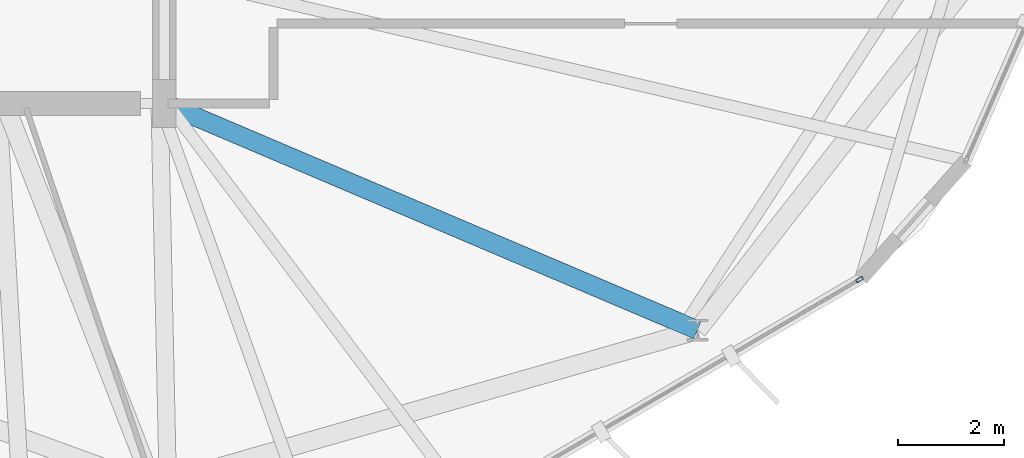
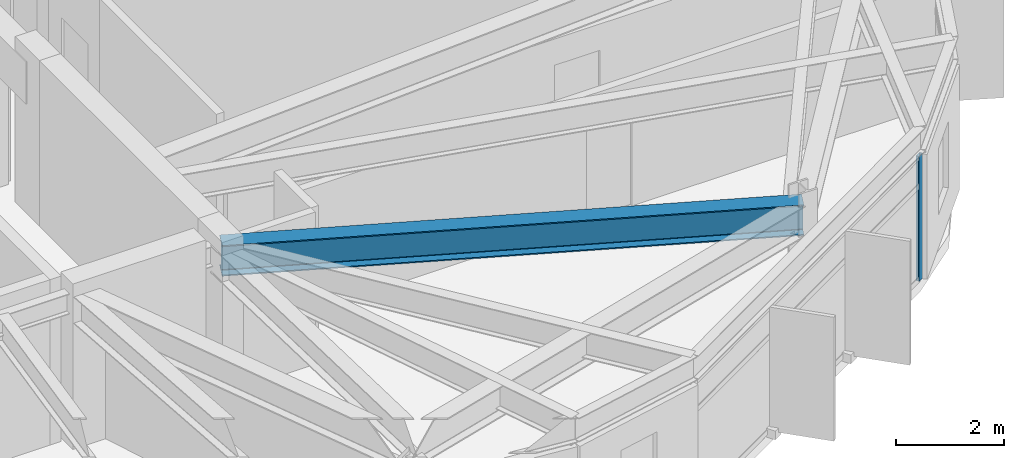
# One storey, part 7 of 25: 1 beam, 1 member, 1 element without a shape of its own.
"""IFC4 building model written with IfcOpenShell, lengths in metres."""

import ifcopenshell
import ifcopenshell.guid

model = None  # the IFC model being written
_history = None  # IfcOwnerHistory: only IFC2X3 demands one
_inside = {}  # id of a spatial element -> (the spatial element, [elements in it])
_under = {}  # id of a project, library or spatial element -> (it, [spatial elements below it])
_declared = {}  # id of a project -> (the project, [libraries it declares])
_typed = {}  # id of a type object -> (the type object, [elements of that type])
_made_of = {}  # id of a material, layer set ... -> (it, [elements and type objects made of it])


def new_model(schema):
    """Start an empty IFC model of exactly this schema.

    Asked for "IFC4X3", IfcOpenShell would pick the latest addendum, in which some entities
    have other attributes; the version numbers below select the first issue.
    IFC2X3 requires an IfcOwnerHistory on every rooted entity: one is made here for all.
    """
    global model, _history
    if schema == "IFC4X3":
        model = ifcopenshell.file(schema_version=(4, 3, 0, 0))
    else:
        model = ifcopenshell.file(schema=schema)
    _inside.clear()
    _under.clear()
    _declared.clear()
    _typed.clear()
    _made_of.clear()
    _history = None
    if model.schema == "IFC2X3":
        org = make("IfcOrganization", Name="unknown")
        user = make(
            "IfcPersonAndOrganization",
            ThePerson=make("IfcPerson", FamilyName="unknown"),
            TheOrganization=org,
        )
        app = make(
            "IfcApplication",
            ApplicationDeveloper=org,
            Version="unknown",
            ApplicationFullName="unknown",
            ApplicationIdentifier="unknown",
        )
        _history = make(
            "IfcOwnerHistory",
            OwningUser=user,
            OwningApplication=app,
            ChangeAction="ADDED",
            CreationDate=0,
        )
    return model


def make(cls, **values):
    """One entity of the class cls with the attributes given. An attribute that is None is left unset."""
    return model.create_entity(
        cls, **{name: value for name, value in values.items() if value is not None}
    )


def rooted(cls, **values):
    """An entity with a GlobalId (a new one), such as an element, a storey or a relation."""
    return make(cls, GlobalId=ifcopenshell.guid.new(), OwnerHistory=_history, **values)


def si_unit(unit_type, name, prefix=None):
    """IfcSIUnit, for example si_unit("LENGTHUNIT", "METRE", prefix="MILLI")."""
    return make("IfcSIUnit", UnitType=unit_type, Prefix=prefix, Name=name)


def assignment(units):
    """IfcUnitAssignment: the units of a project."""
    return None if units is None else make("IfcUnitAssignment", Units=units)


def point(xyz):
    """IfcCartesianPoint."""
    return None if xyz is None else make("IfcCartesianPoint", Coordinates=xyz)


def direction(xyz):
    """IfcDirection."""
    return None if xyz is None else make("IfcDirection", DirectionRatios=xyz)


def frame(location, z_axis=None, x_axis=None):
    """IfcAxis2Placement3D, a coordinate frame: its origin and axes. An axis left out is left unset."""
    return make(
        "IfcAxis2Placement3D",
        Location=point(location),
        Axis=direction(z_axis),
        RefDirection=direction(x_axis),
    )


def frame_2d(location, x_axis=None):
    """IfcAxis2Placement2D, a coordinate frame in the plane: its origin and x axis."""
    return make(
        "IfcAxis2Placement2D", Location=point(location), RefDirection=direction(x_axis)
    )


def origin():
    """The frame at (0, 0, 0) with its axes left unset."""
    return frame((0.0, 0.0, 0.0))


def origin_2d():
    """The frame at (0, 0) in the plane with its x axis left unset."""
    return frame_2d((0.0, 0.0))


def place(relative_to, where):
    """IfcLocalPlacement: puts the frame where relative to a parent placement (None: the world)."""
    return make(
        "IfcLocalPlacement", PlacementRelTo=relative_to, RelativePlacement=where
    )


def context(
    kind, dimensions, precision=None, world=None, true_north=None, identifier=None
):
    """IfcGeometricRepresentationContext, for example the 3D "Model" context."""
    return make(
        "IfcGeometricRepresentationContext",
        ContextIdentifier=identifier,
        ContextType=kind,
        CoordinateSpaceDimension=dimensions,
        Precision=precision,
        WorldCoordinateSystem=world,
        TrueNorth=true_north,
    )


def subcontext(parent, identifier, kind, view, scale=None):
    """IfcGeometricRepresentationSubContext, for example "Body" below "Model"."""
    return make(
        "IfcGeometricRepresentationSubContext",
        ContextIdentifier=identifier,
        ContextType=kind,
        ParentContext=parent,
        TargetScale=scale,
        TargetView=view,
    )


def project(units=None, contexts=None):
    """IfcProject with its units and contexts."""
    return rooted(
        "IfcProject",
        Name="project",
        RepresentationContexts=contexts,
        UnitsInContext=assignment(units),
    )


def spatial(cls, under=None, at=None, **own):
    """A site, building, storey or space (cls), placed at a placement, below another one or the project."""
    s = rooted(cls, ObjectPlacement=at, **own)
    if under is not None:
        _under.setdefault(under.id(), (under, []))[1].append(s)
    return s


def profile(cls, at=None, kind="AREA", **sizes):
    """A parametric profile (cls). Its sizes go by their IFC names, for example OverallWidth=200.0."""
    return make(cls, ProfileType=kind, Position=at, **sizes)


def hollow_rectangle(**sizes):
    """IfcRectangleHollowProfileDef."""
    return profile("IfcRectangleHollowProfileDef", **sizes)


def i_section(**sizes):
    """IfcIShapeProfileDef."""
    return profile("IfcIShapeProfileDef", **sizes)


def extrude(swept, where, along, depth):
    """IfcExtrudedAreaSolid: the profile swept, set in the frame where, extruded along a direction by depth."""
    return make(
        "IfcExtrudedAreaSolid",
        SweptArea=swept,
        Position=where,
        ExtrudedDirection=direction(along),
        Depth=depth,
    )


def shape(context_of_items, identifier, shape_type, items):
    """IfcShapeRepresentation: the items that make up one representation, for example the "Body"."""
    return make(
        "IfcShapeRepresentation",
        ContextOfItems=context_of_items,
        RepresentationIdentifier=identifier,
        RepresentationType=shape_type,
        Items=items,
    )


def material(Name=None, Category=None):
    """IfcMaterial."""
    return make("IfcMaterial", Name=Name, Category=Category)


def layer(
    of_material, thickness, ventilated=None, Name=None, Category=None, Priority=None
):
    """IfcMaterialLayer: one layer of a wall or slab, of a material (None: an air gap)."""
    return make(
        "IfcMaterialLayer",
        Material=of_material,
        LayerThickness=thickness,
        IsVentilated=ventilated,
        Name=Name,
        Category=Category,
        Priority=Priority,
    )


def layer_set(layers, Name=None):
    """IfcMaterialLayerSet."""
    return make("IfcMaterialLayerSet", MaterialLayers=layers, LayerSetName=Name)


def material_profile(
    of_material, cross_section, Name=None, Category=None, Priority=None
):
    """IfcMaterialProfile: a cross section and its material."""
    return make(
        "IfcMaterialProfile",
        Name=Name,
        Material=of_material,
        Profile=cross_section,
        Priority=Priority,
        Category=Category,
    )


def profile_set(profiles, Name=None, composite=None):
    """IfcMaterialProfileSet."""
    return make(
        "IfcMaterialProfileSet",
        Name=Name,
        MaterialProfiles=profiles,
        CompositeProfile=composite,
    )


def made_of(thing, what):
    """Note that an element or type object is made of a material, layer set ...; save() writes the relation."""
    if what is not None:
        _made_of.setdefault(what.id(), (what, []))[1].append(thing)
    return thing


def type_object(cls, material=None, **own):
    """A type object (cls), such as IfcWallType, which elements share."""
    return made_of(rooted(cls, **own), material)


def element(
    cls,
    number,
    at=None,
    inside=None,
    cuts=None,
    type_object=None,
    material=None,
    context=None,
    identifier="Body",
    shape_type=None,
    held_by="IfcProductDefinitionShape",
    body=None,
    shapes=None,
    **own,
):
    """One element of the class cls, such as IfcWall. Its Tag is "e" and its number.

    at: its placement. inside: the storey or other place that contains it. cuts: it is an
    opening in that element (IfcRelVoidsElement). A single representation is given by context,
    identifier, shape_type and body (its items); several are given by shapes. held_by: the class
    of the entity that holds the representations. save() writes the other relations.
    """
    e = rooted(cls, Tag="e%d" % number, ObjectPlacement=at, **own)
    if body is not None:
        shapes = [shape(context, identifier, shape_type, body)]
    if shapes is not None:
        e.Representation = make(held_by, Representations=shapes)
    if inside is not None:
        _inside.setdefault(inside.id(), (inside, []))[1].append(e)
    if cuts is not None:
        rooted(
            "IfcRelVoidsElement", RelatingBuildingElement=cuts, RelatedOpeningElement=e
        )
    if type_object is not None:
        _typed.setdefault(type_object.id(), (type_object, []))[1].append(e)
    return made_of(e, material)


def aggregate(whole, parts):
    """IfcRelAggregates: a whole, such as a stair, and the parts it consists of."""
    return rooted("IfcRelAggregates", RelatingObject=whole, RelatedObjects=parts)


def save(model, path):
    """Write the relations noted so far, then the file.

    IfcRelAggregates (storeys below a building ...), IfcRelContainedInSpatialStructure (elements
    in a storey), IfcRelDefinesByType, IfcRelAssociatesMaterial and IfcRelDeclares: one each for
    every whole, place, type object, material and project.
    """
    for whole, parts in _under.values():
        aggregate(whole, parts)
    for where, things in _inside.values():
        rooted(
            "IfcRelContainedInSpatialStructure",
            RelatedElements=things,
            RelatingStructure=where,
        )
    for kind, things in _typed.values():
        rooted("IfcRelDefinesByType", RelatedObjects=things, RelatingType=kind)
    for what, things in _made_of.values():
        rooted("IfcRelAssociatesMaterial", RelatedObjects=things, RelatingMaterial=what)
    for by, libraries in _declared.values():
        rooted("IfcRelDeclares", RelatingContext=by, RelatedDefinitions=libraries)
    model.write(path)


model = new_model("IFC4")

# Units and contexts
model_context = context("Model", 3, precision=1e-05, world=origin(), true_north=direction((0.0, 1.0)))
body_context = subcontext(model_context, "Body", "Model", "MODEL_VIEW")
ifc_project = project(units=[si_unit("LENGTHUNIT", "METRE"), si_unit("AREAUNIT", "SQUARE_METRE"), si_unit("VOLUMEUNIT", "CUBIC_METRE"), si_unit("PLANEANGLEUNIT", "RADIAN"), si_unit("MASSUNIT", "GRAM", prefix="KILO")], contexts=[model_context])

# Site, building, storey
site_placement = place(None, origin())
site = spatial("IfcSite", under=ifc_project, at=site_placement, CompositionType="ELEMENT")
building_placement = place(site_placement, origin())
building = spatial("IfcBuilding", under=site, at=building_placement, Name="Soratama Intermodal Tower", CompositionType="ELEMENT")
storey_placement = place(building_placement, frame((0.0, 0.0, 276.25)))
storey = spatial("IfcBuildingStorey", under=building, at=storey_placement, Name="L70", CompositionType="ELEMENT", Elevation=276.25)

# Beam
ifc_material_1 = material(Name="Structural steel ASTM A992 Grade 50", Category="steel")
ifc_material_profile_1 = material_profile(ifc_material_1, i_section(OverallWidth=0.35498046875, OverallDepth=0.695068359375, WebThickness=0.015380859375, FlangeThickness=0.02490234375, FilletRadius=0.01611328125, at=origin_2d()), Name="W27X146")
ifc_profile_set_1 = profile_set([ifc_material_profile_1], Name="Structural steel ASTM A992 Grade 50")
beam_type = type_object("IfcBeamType", Name="BM-RING-W27X146", PredefinedType="BEAM", material=ifc_profile_set_1)
beam_placement = place(storey_placement, frame((44.60009765625, 15.0, 3.1025390625), z_axis=(0.920282671955, -0.391254142087, 0.0), x_axis=(0.391254142087, 0.920282671955, 0.0)))
element("IfcBeam", 1, at=beam_placement, inside=storey, type_object=beam_type, Name="BM-L70-RAD-09", PredefinedType="BEAM", context=body_context, shape_type="SweptSolid", body=[
    extrude(i_section(OverallWidth=0.35498046875, OverallDepth=0.695068359375, WebThickness=0.015380859375, FlangeThickness=0.02490234375, FilletRadius=0.01611328125, at=origin_2d()), origin(), (0.0, 0.0, 1.0), 10.885498046875),
])

# Curtain wall, member
ifc_material_2 = material(Name="Double-glazed aluminium curtain wall", Category="aluminium")
ifc_layer = layer(ifc_material_2, 0.159912109375)
ifc_layer_set = layer_set([ifc_layer], Name="Double-glazed aluminium curtain wall")
curtain_wall_type = type_object("IfcCurtainWallType", Name="CW-SYS-5", PredefinedType="NOTDEFINED", material=ifc_layer_set)
curtain_wall_placement = place(storey_placement, origin())
curtain_wall = element("IfcCurtainWall", 2, at=curtain_wall_placement, inside=storey, type_object=curtain_wall_type, Name="L70 Faceted Curtain Wall F07", PredefinedType="NOTDEFINED")
ifc_material_3 = material(Name="Anodised aluminium AA 6063-T6", Category="aluminium")
ifc_material_profile_2 = material_profile(ifc_material_3, hollow_rectangle(XDim=0.06494140625, YDim=0.139892578125, WallThickness=0.0048828125, InnerFilletRadius=0.0048828125, OuterFilletRadius=0.010009765625, at=origin_2d()), Name="CWM140X65X5")
ifc_profile_set_2 = profile_set([ifc_material_profile_2], Name="Anodised aluminium AA 6063-T6")
member_type = type_object("IfcMemberType", Name="MT-CWM-5", PredefinedType="MULLION", material=ifc_profile_set_2)
member_placement = place(storey_placement, frame((57.664306640625, 11.691650390625, 0.0), z_axis=(0.0, 0.0, 1.0), x_axis=(-0.504528498033, 0.863395039754, 0.0)))
member = element("IfcMember", 3, at=member_placement, type_object=member_type, Name="CW-5 mullion 2", PredefinedType="MULLION", context=body_context, shape_type="SweptSolid", body=[
    extrude(hollow_rectangle(XDim=0.06494140625, YDim=0.139892578125, WallThickness=0.0048828125, InnerFilletRadius=0.0048828125, OuterFilletRadius=0.010009765625, at=origin_2d()), origin(), (0.0, 0.0, 1.0), 2.8291015625),
])
aggregate(curtain_wall, [member])

save(model, "model.ifc")
